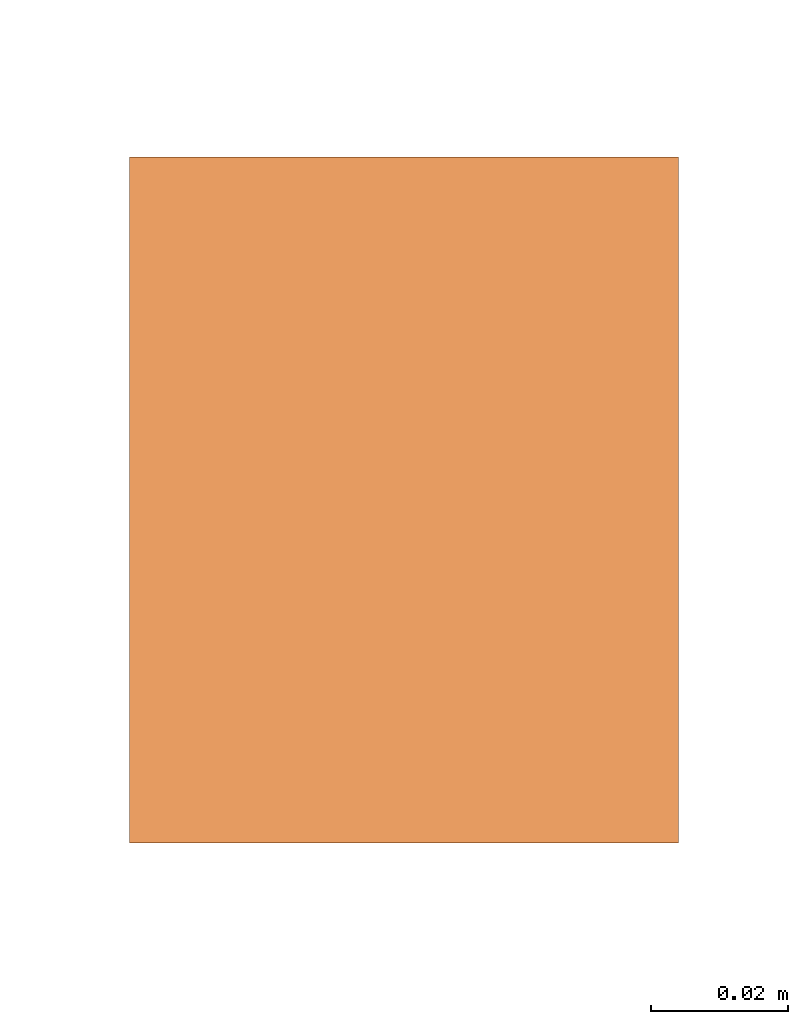
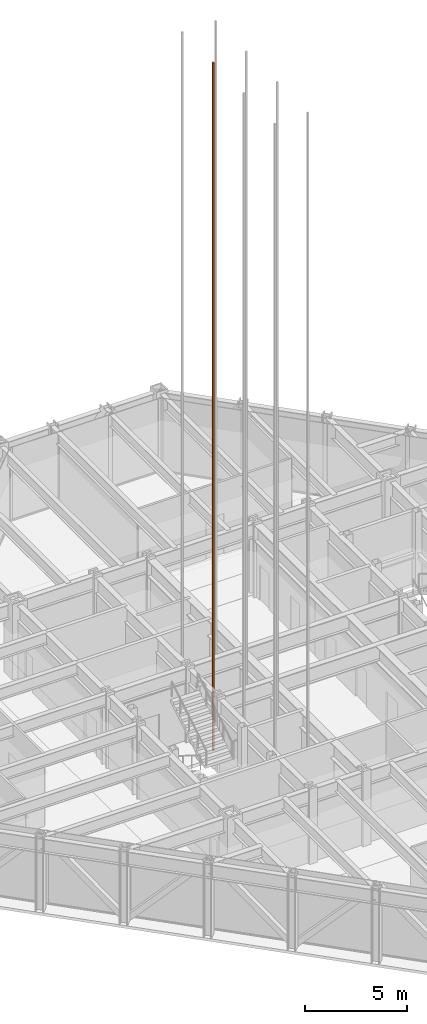
# One storey, part 21 of 24: 1 proxy.
"""IFC4 building model written with IfcOpenShell, lengths in metres."""

from ifc_helpers import new_model, si_unit, direction, frame, origin, origin_2d, place, context, subcontext, project, spatial, rectangle, extrude, material, type_object, element, save


model = new_model("IFC4")

# Units and contexts
model_context = context("Model", 3, precision=1e-05, world=origin(), true_north=direction((0.0, 1.0)))
body_context = subcontext(model_context, "Body", "Model", "MODEL_VIEW")
ifc_project = project(units=[si_unit("LENGTHUNIT", "METRE"), si_unit("AREAUNIT", "SQUARE_METRE"), si_unit("VOLUMEUNIT", "CUBIC_METRE"), si_unit("PLANEANGLEUNIT", "RADIAN"), si_unit("MASSUNIT", "GRAM", prefix="KILO")], contexts=[model_context])

# Site, building, storey
site_placement = place(None, origin())
site = spatial("IfcSite", under=ifc_project, at=site_placement, CompositionType="ELEMENT")
building_placement = place(site_placement, origin())
building = spatial("IfcBuilding", under=site, at=building_placement, Name="Chuquiago Exchange Tower", CompositionType="ELEMENT")
storey_placement = place(building_placement, frame((0.0, 0.0, 257.699951171875)))
storey = spatial("IfcBuildingStorey", under=building, at=storey_placement, Name="L57", CompositionType="ELEMENT", Elevation=257.699951171875)

# Proxy
ifc_material = material(Name="Galvanised steel guide rail", Category="steel")
building_element_proxy_type = type_object("IfcBuildingElementProxyType", Name="LR lift guide rail", PredefinedType="NOTDEFINED", material=ifc_material)
proxy_placement = place(storey_placement, frame((17.06494140625, 22.5, 0.0), z_axis=(0.0, 0.0, 1.0), x_axis=(1.0, 0.0, 0.0)))
element("IfcBuildingElementProxy", 1, at=proxy_placement, inside=storey, type_object=building_element_proxy_type, Name="Lift LD3 guide rail W", PredefinedType="NOTDEFINED", context=body_context, shape_type="SweptSolid", body=[
    extrude(rectangle(XDim=0.080078125, YDim=0.10009765625, at=origin_2d()), origin(), (0.0, 0.0, 1.0), 41.0),
])

save(model, "model.ifc")
